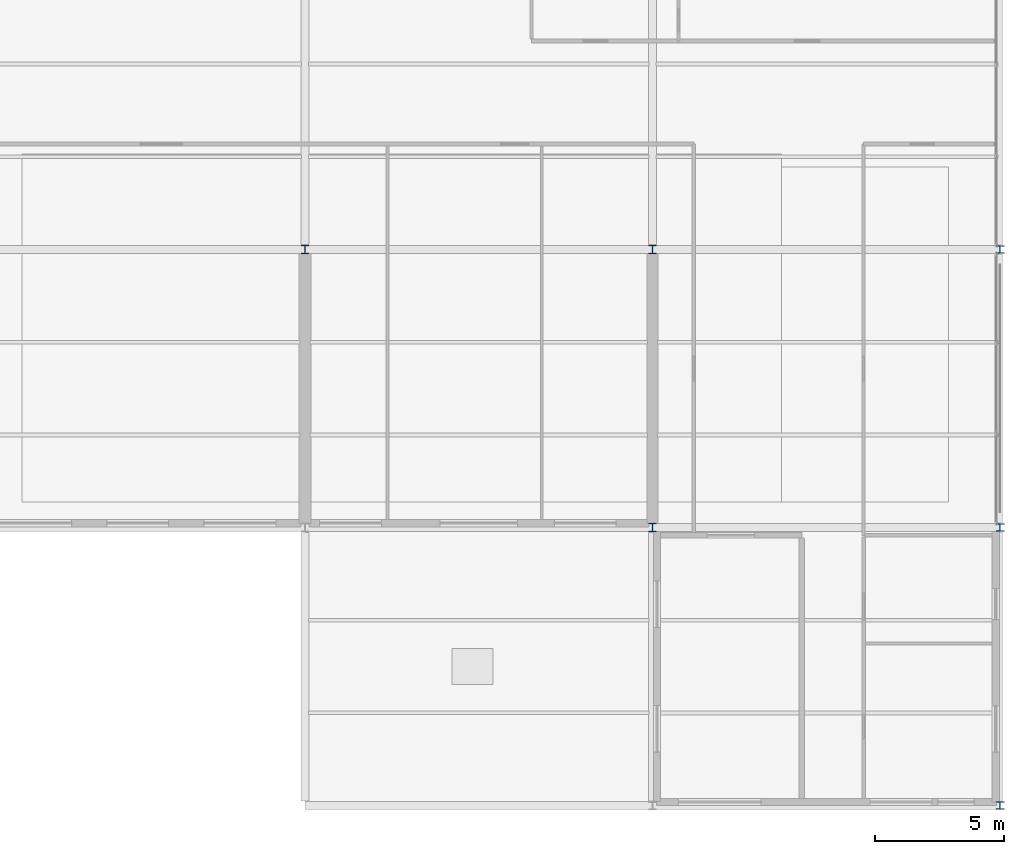
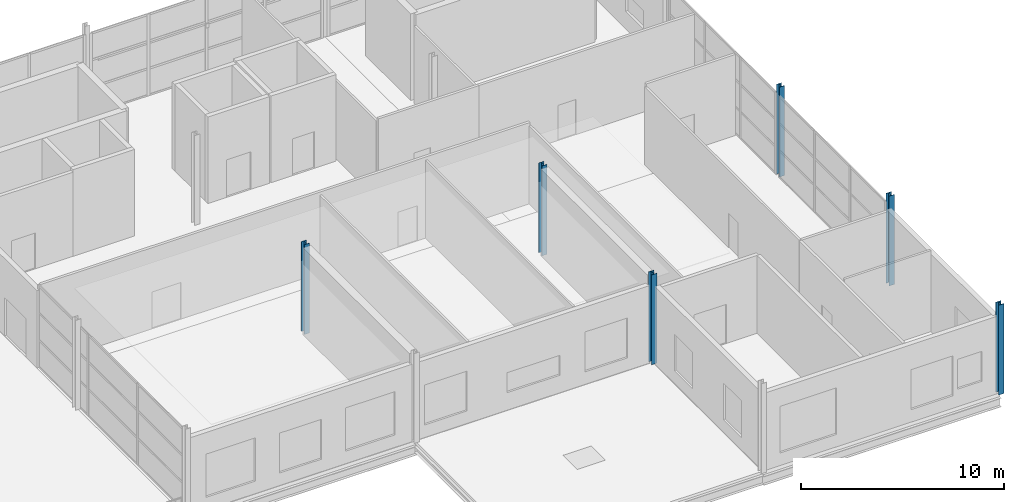
# One storey, part 2 of 34: 6 columns.
"""IFC4 building model written with IfcOpenShell, lengths in metres."""

from ifc_helpers import new_model, si_unit, direction, frame, origin, origin_2d, place, context, subcontext, project, spatial, i_section, extrude, material, material_profile, profile_set, type_object, element, save


model = new_model("IFC4")

# Units and contexts
model_context = context("Model", 3, precision=1e-05, world=origin(), true_north=direction((0.0, 1.0)))
body_context = subcontext(model_context, "Body", "Model", "MODEL_VIEW")
ifc_project = project(units=[si_unit("LENGTHUNIT", "METRE"), si_unit("AREAUNIT", "SQUARE_METRE"), si_unit("VOLUMEUNIT", "CUBIC_METRE"), si_unit("PLANEANGLEUNIT", "RADIAN"), si_unit("MASSUNIT", "GRAM", prefix="KILO")], contexts=[model_context])

# Site, building, storey
site_placement = place(None, origin())
site = spatial("IfcSite", under=ifc_project, at=site_placement, CompositionType="ELEMENT")
building_placement = place(site_placement, origin())
building = spatial("IfcBuilding", under=site, at=building_placement, Name="Tamarisk Ironworks Central Station", CompositionType="ELEMENT")
storey_placement = place(building_placement, frame((0.0, 0.0, 25.199951171875)))
storey = spatial("IfcBuildingStorey", under=building, at=storey_placement, Name="L05", CompositionType="ELEMENT", Elevation=25.199951171875)

# Columns
ifc_material = material(Name="Structural steel S355J2", Category="steel")
ifc_material_profile_1 = material_profile(ifc_material, i_section(OverallWidth=0.300048828125, OverallDepth=0.320068359375, WebThickness=0.011474609375, FlangeThickness=0.0205078125, at=origin_2d()), Name="HEB 320")
ifc_profile_set_1 = profile_set([ifc_material_profile_1], Name="Structural steel S355J2")
column_type_1 = type_object("IfcColumnType", Name="COL-S11", PredefinedType="COLUMN", material=ifc_profile_set_1)
for number, where, z_axis, x_axis, name in (
    (1, (153.0, 100.800048828125, 0.0), (0.0, 0.0, 1.0), (1.0, 0.0, 0.0), "L05 column V5-18J"),
    (2, (166.5, 90.0, 0.0), (0.0, 0.0, 1.0), (1.0, 0.0, 0.0), "L05 column V5-19H"),
    (3, (166.5, 100.800048828125, 0.0), (0.0, 0.0, 1.0), (1.0, 0.0, 0.0), "L05 column V5-19J"),
):
    element("IfcColumn", number, at=place(storey_placement, frame(where, z_axis=z_axis, x_axis=x_axis)), inside=storey, type_object=column_type_1, Name=name, PredefinedType="COLUMN", context=body_context, shape_type="SweptSolid", body=[
        extrude(i_section(OverallWidth=0.300048828125, OverallDepth=0.320068359375, WebThickness=0.011474609375, FlangeThickness=0.0205078125, at=origin_2d()), origin(), (0.0, 0.0, 1.0), 5.400146484375),
    ])
ifc_material_profile_2 = material_profile(ifc_material, i_section(OverallWidth=0.300048828125, OverallDepth=0.300048828125, WebThickness=0.010986328125, FlangeThickness=0.01904296875, at=origin_2d()), Name="HEB 300")
ifc_profile_set_2 = profile_set([ifc_material_profile_2], Name="Structural steel S355J2")
column_type_2 = type_object("IfcColumnType", Name="COL-S12", PredefinedType="COLUMN", material=ifc_profile_set_2)
for number, where, z_axis, x_axis, name in (
    (4, (180.0, 79.199951171875, 0.0), (0.0, 0.0, 1.0), (1.0, 0.0, 0.0), "L05 column V5-20G"),
    (5, (180.0, 90.0, 0.0), (0.0, 0.0, 1.0), (1.0, 0.0, 0.0), "L05 column V5-20H"),
    (6, (180.0, 100.800048828125, 0.0), (0.0, 0.0, 1.0), (1.0, 0.0, 0.0), "L05 column V5-20J"),
):
    element("IfcColumn", number, at=place(storey_placement, frame(where, z_axis=z_axis, x_axis=x_axis)), inside=storey, type_object=column_type_2, Name=name, PredefinedType="COLUMN", context=body_context, shape_type="SweptSolid", body=[
        extrude(i_section(OverallWidth=0.300048828125, OverallDepth=0.300048828125, WebThickness=0.010986328125, FlangeThickness=0.01904296875, at=origin_2d()), origin(), (0.0, 0.0, 1.0), 5.400146484375),
    ])

save(model, "model.ifc")
